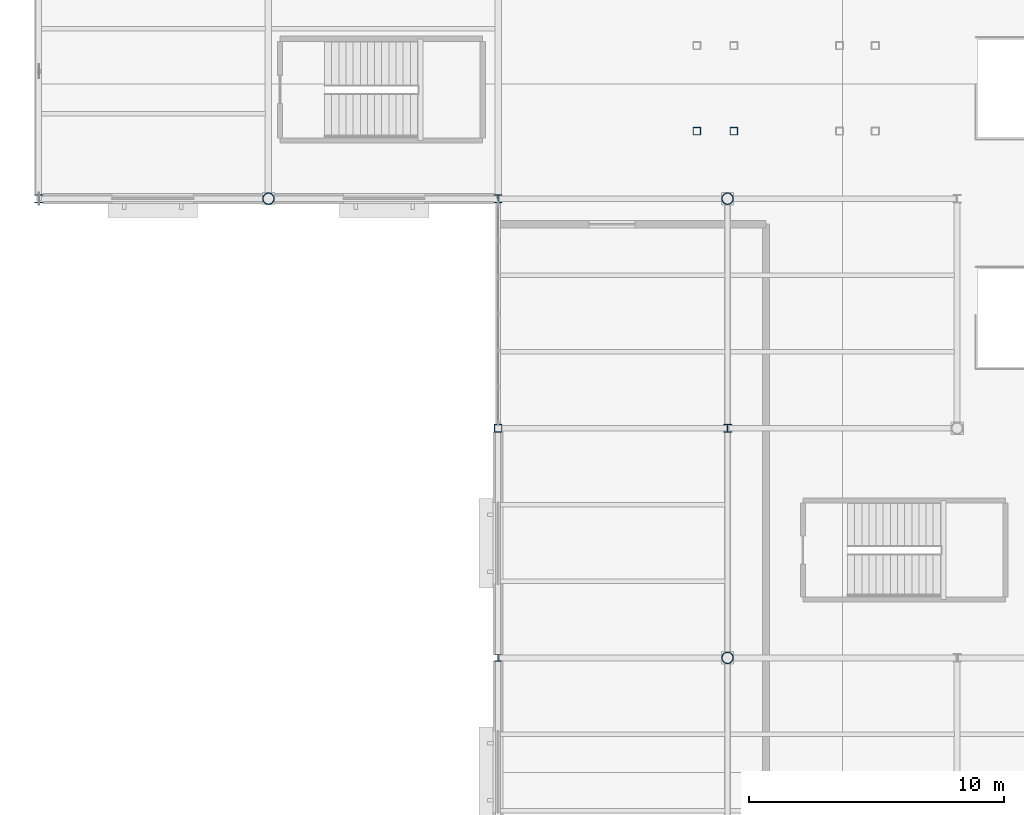
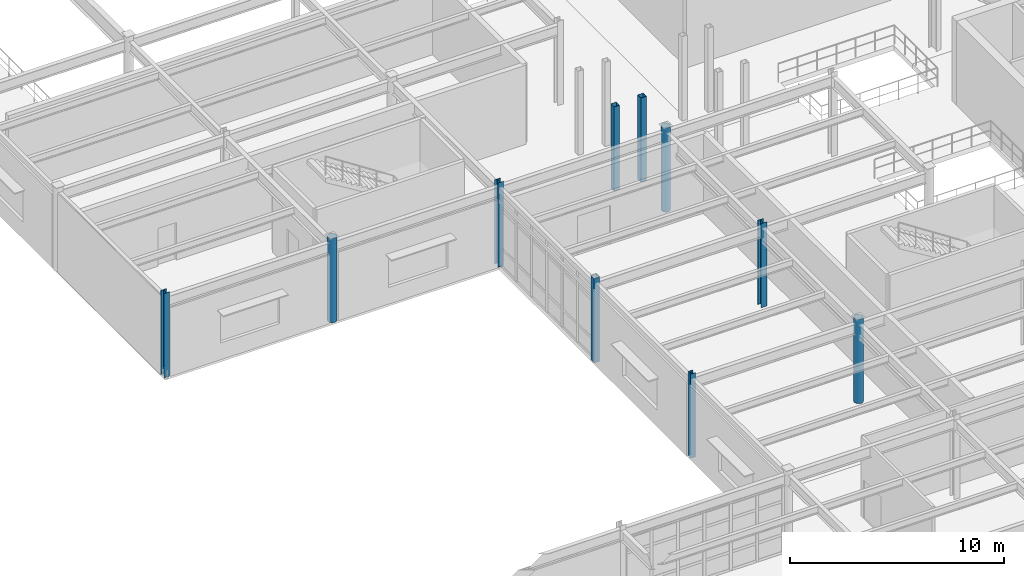
# One storey, part 3 of 86: 10 columns.
"""IFC4 building model written with IfcOpenShell, lengths in metres."""

from ifc_helpers import new_model, si_unit, direction, frame, origin, origin_2d, place, context, subcontext, project, spatial, hollow_rectangle, hollow_circle, i_section, extrude, material, material_profile, profile_set, type_object, element, save


model = new_model("IFC4")

# Units and contexts
model_context = context("Model", 3, precision=1e-05, world=origin(), true_north=direction((0.0, 1.0)))
body_context = subcontext(model_context, "Body", "Model", "MODEL_VIEW")
ifc_project = project(units=[si_unit("LENGTHUNIT", "METRE"), si_unit("AREAUNIT", "SQUARE_METRE"), si_unit("VOLUMEUNIT", "CUBIC_METRE"), si_unit("PLANEANGLEUNIT", "RADIAN"), si_unit("MASSUNIT", "GRAM", prefix="KILO")], contexts=[model_context])

# Site, building, storey
site_placement = place(None, origin())
site = spatial("IfcSite", under=ifc_project, at=site_placement, CompositionType="ELEMENT")
building_placement = place(site_placement, origin())
building = spatial("IfcBuilding", under=site, at=building_placement, Name="Glasvene Arena", CompositionType="ELEMENT")
storey_placement = place(building_placement, frame((0.0, 0.0, 5.39990234375)))
storey = spatial("IfcBuildingStorey", under=building, at=storey_placement, Name="L01", CompositionType="ELEMENT", Elevation=5.39990234375)

# Columns
ifc_material = material(Name="Steel S355J2", Category="steel")
ifc_material_profile_1 = material_profile(ifc_material, hollow_circle(Radius=0.228515625, WallThickness=0.02001953125, at=origin_2d()), Name="CHS 457.0x20.0")
ifc_profile_set_1 = profile_set([ifc_material_profile_1], Name="Steel S355J2")
column_type_1 = type_object("IfcColumnType", Name="COL-W-CHS457", PredefinedType="COLUMN", material=ifc_profile_set_1)
for number, where, z_axis, x_axis, name in (
    (1, (9.0, 54.0, 0.0), (0.0, 0.0, 1.0), (1.0, 0.0, 0.0), "Grid column 2-7 L01"),
    (2, (27.0, 36.0, 0.0), (0.0, 0.0, 1.0), (1.0, 0.0, 0.0), "Grid column 4-5 L01"),
    (3, (27.0, 54.0, 0.0), (0.0, 0.0, 1.0), (1.0, 0.0, 0.0), "Grid column 4-7 L01"),
):
    element("IfcColumn", number, at=place(storey_placement, frame(where, z_axis=z_axis, x_axis=x_axis)), inside=storey, type_object=column_type_1, Name=name, PredefinedType="COLUMN", context=body_context, shape_type="SweptSolid", body=[
        extrude(hollow_circle(Radius=0.228515625, WallThickness=0.02001953125, at=origin_2d()), origin(), (0.0, 0.0, 1.0), 4.800048828125),
    ])
ifc_material_profile_2 = material_profile(ifc_material, hollow_rectangle(XDim=0.300048828125, YDim=0.300048828125, WallThickness=0.012451171875, at=origin_2d()), Name="SHS 300x300x12.5")
ifc_profile_set_2 = profile_set([ifc_material_profile_2], Name="Steel S355J2")
column_type_2 = type_object("IfcColumnType", Name="COL-W-SHS300", PredefinedType="COLUMN", material=ifc_profile_set_2)
for number, where, z_axis, x_axis, name in (
    (4, (18.0, 45.0, 0.0), (0.0, 0.0, 1.0), (1.0, 0.0, 0.0), "Grid column 3-6 L01"),
    (5, (25.800048828125, 56.64990234375, 0.0), (0.0, 0.0, 1.0), (1.0, 0.0, 0.0), "Vomitory arrival support column VOM-05 L01"),
    (6, (27.25, 56.64990234375, 0.0), (0.0, 0.0, 1.0), (1.0, 0.0, 0.0), "Vomitory arrival support column VOM-05 L01"),
):
    element("IfcColumn", number, at=place(storey_placement, frame(where, z_axis=z_axis, x_axis=x_axis)), inside=storey, type_object=column_type_2, Name=name, PredefinedType="COLUMN", context=body_context, shape_type="SweptSolid", body=[
        extrude(hollow_rectangle(XDim=0.300048828125, YDim=0.300048828125, WallThickness=0.012451171875, at=origin_2d()), origin(), (0.0, 0.0, 1.0), 4.800048828125),
    ])
ifc_material_profile_3 = material_profile(ifc_material, i_section(OverallWidth=0.30908203125, OverallDepth=0.320556640625, WebThickness=0.013916015625, FlangeThickness=0.021728515625, FilletRadius=0.01513671875, at=origin_2d()), Name="UKC 305x305x137")
ifc_profile_set_3 = profile_set([ifc_material_profile_3], Name="Steel S355J2")
column_type_3 = type_object("IfcColumnType", Name="COL-W-UKC137", PredefinedType="COLUMN", material=ifc_profile_set_3)
for number, where, z_axis, x_axis, name in (
    (7, (0.0, 54.0, 0.0), (0.0, 0.0, 1.0), (1.0, 0.0, 0.0), "Grid column 1-7 L01"),
    (8, (18.0, 54.0, 0.0), (0.0, 0.0, 1.0), (1.0, 0.0, 0.0), "Grid column 3-7 L01"),
    (9, (27.0, 45.0, 0.0), (0.0, 0.0, 1.0), (1.0, 0.0, 0.0), "Grid column 4-6 L01"),
):
    element("IfcColumn", number, at=place(storey_placement, frame(where, z_axis=z_axis, x_axis=x_axis)), inside=storey, type_object=column_type_3, Name=name, PredefinedType="COLUMN", context=body_context, shape_type="SweptSolid", body=[
        extrude(i_section(OverallWidth=0.30908203125, OverallDepth=0.320556640625, WebThickness=0.013916015625, FlangeThickness=0.021728515625, FilletRadius=0.01513671875, at=origin_2d()), origin(), (0.0, 0.0, 1.0), 4.800048828125),
    ])
ifc_material_profile_4 = material_profile(ifc_material, i_section(OverallWidth=0.25634765625, OverallDepth=0.26025390625, WebThickness=0.01025390625, FlangeThickness=0.017333984375, FilletRadius=0.0126953125, at=origin_2d()), Name="UKC 254x254x89")
ifc_profile_set_4 = profile_set([ifc_material_profile_4], Name="Steel S355J2")
column_type_4 = type_object("IfcColumnType", Name="COL-W-UKC89", PredefinedType="COLUMN", material=ifc_profile_set_4)
column_placement = place(storey_placement, frame((18.0, 36.0, 0.0), z_axis=(0.0, 0.0, 1.0), x_axis=(1.0, 0.0, 0.0)))
element("IfcColumn", 10, at=column_placement, inside=storey, type_object=column_type_4, Name="Grid column 3-5 L01", PredefinedType="COLUMN", context=body_context, shape_type="SweptSolid", body=[
    extrude(i_section(OverallWidth=0.25634765625, OverallDepth=0.26025390625, WebThickness=0.01025390625, FlangeThickness=0.017333984375, FilletRadius=0.0126953125, at=origin_2d()), origin(), (0.0, 0.0, 1.0), 4.800048828125),
])

save(model, "model.ifc")
